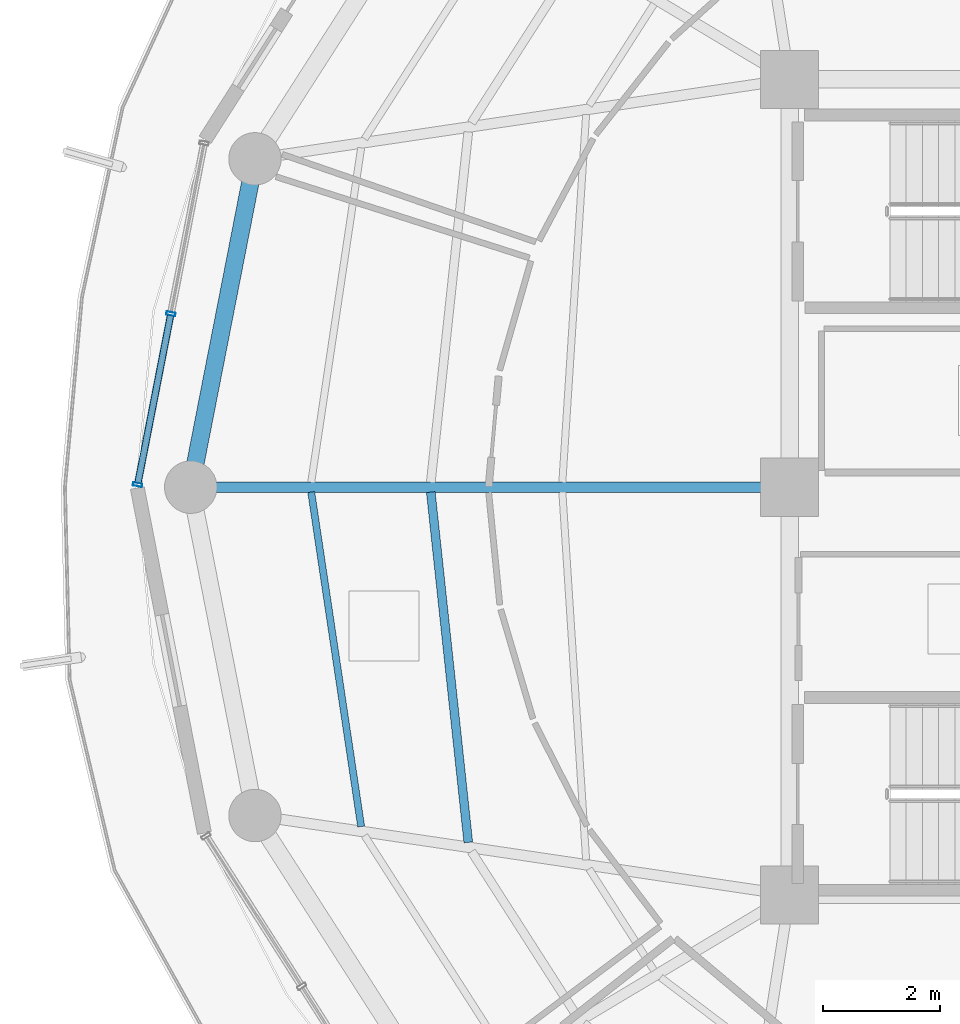
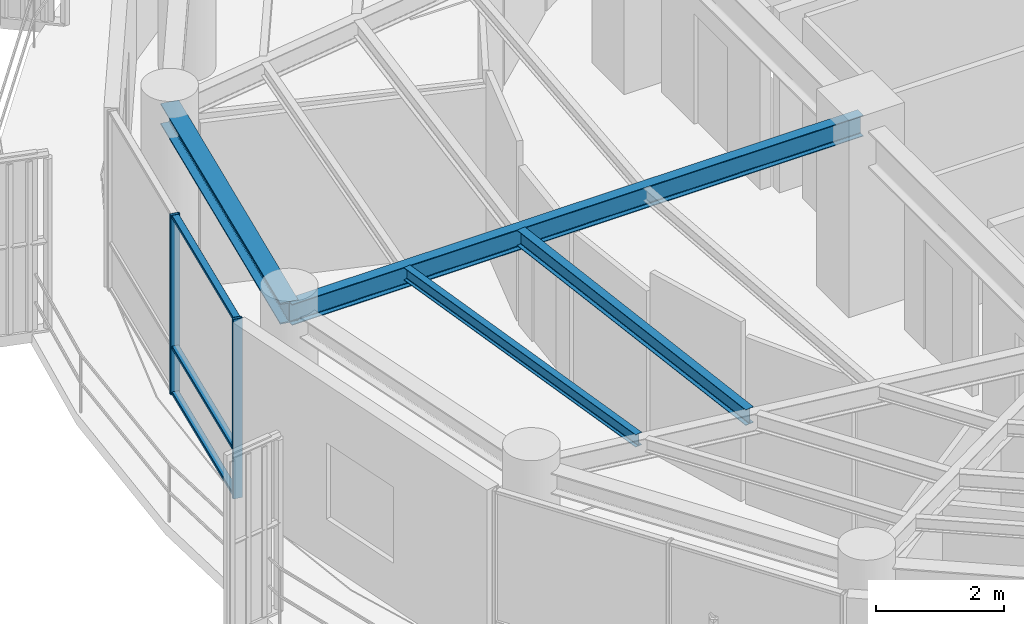
# One storey, part 7 of 23: 5 members, 4 beams, 1 element without a shape of its own.
"""IFC4 building model written with IfcOpenShell, lengths in metres."""

from ifc_helpers import new_model, si_unit, direction, frame, origin, origin_2d, place, context, subcontext, project, spatial, hollow_rectangle, i_section, extrude, material, layer, layer_set, material_profile, profile_set, type_object, element, aggregate, save


model = new_model("IFC4")

# Units and contexts
model_context = context("Model", 3, precision=1e-05, world=origin(), true_north=direction((0.0, 1.0)))
body_context = subcontext(model_context, "Body", "Model", "MODEL_VIEW")
ifc_project = project(units=[si_unit("LENGTHUNIT", "METRE"), si_unit("AREAUNIT", "SQUARE_METRE"), si_unit("VOLUMEUNIT", "CUBIC_METRE"), si_unit("PLANEANGLEUNIT", "RADIAN"), si_unit("MASSUNIT", "GRAM", prefix="KILO")], contexts=[model_context])

# Site, building, storey
site_placement = place(None, origin())
site = spatial("IfcSite", under=ifc_project, at=site_placement, CompositionType="ELEMENT")
building_placement = place(site_placement, origin())
building = spatial("IfcBuilding", under=site, at=building_placement, Name="Kelanora Arch Commons", CompositionType="ELEMENT")
storey_placement = place(building_placement, frame((0.0, 0.0, 289.949951171875)))
storey = spatial("IfcBuildingStorey", under=building, at=storey_placement, Name="L74", CompositionType="ELEMENT", Elevation=289.949951171875)

# Beams
ifc_material_1 = material(Name="Steel S355", Category="steel")
ifc_material_profile_1 = material_profile(ifc_material_1, i_section(OverallWidth=0.14990234375, OverallDepth=0.300048828125, WebThickness=0.007080078125, FlangeThickness=0.0107421875, FilletRadius=0.014892578125, at=origin_2d()), Name="IPE300")
ifc_profile_set_1 = profile_set([ifc_material_profile_1], Name="Steel S355")
beam_type_1 = type_object("IfcBeamType", Name="BM-JST-01", PredefinedType="JOIST", material=ifc_profile_set_1)
beam_1_placement = place(storey_placement, frame((59.841064453125, 57.91552734375, 3.280029296875), z_axis=(0.106380594087, -0.994325484538, 0.0), x_axis=(0.994325484538, 0.106380594087, 0.0)))
element("IfcBeam", 1, at=beam_1_placement, inside=storey, type_object=beam_type_1, Name="Secondary Chord Joist BJB-18 L74", PredefinedType="JOIST", context=body_context, shape_type="SweptSolid", body=[
    extrude(i_section(OverallWidth=0.14990234375, OverallDepth=0.300048828125, WebThickness=0.007080078125, FlangeThickness=0.0107421875, FilletRadius=0.014892578125, at=origin_2d()), origin(), (0.0, 0.0, 1.0), 6.04736328125),
])
ifc_material_profile_2 = material_profile(ifc_material_1, i_section(OverallWidth=0.1201171875, OverallDepth=0.239990234375, WebThickness=0.006103515625, FlangeThickness=0.009765625, FilletRadius=0.014892578125, at=origin_2d()), Name="IPE240")
ifc_profile_set_2 = profile_set([ifc_material_profile_2], Name="Steel S355")
beam_type_2 = type_object("IfcBeamType", Name="BM-JST-02", PredefinedType="JOIST", material=ifc_profile_set_2)
beam_2_placement = place(storey_placement, frame((57.78857421875, 57.916015625, 3.31005859375), z_axis=(0.14762470282, -0.989043450571, 0.0), x_axis=(0.989043450571, 0.14762470282, 0.0)))
element("IfcBeam", 2, at=beam_2_placement, inside=storey, type_object=beam_type_2, Name="Secondary Chord Joist BJC-18 L74", PredefinedType="JOIST", context=body_context, shape_type="SweptSolid", body=[
    extrude(i_section(OverallWidth=0.1201171875, OverallDepth=0.239990234375, WebThickness=0.006103515625, FlangeThickness=0.009765625, FilletRadius=0.014892578125, at=origin_2d()), origin(), (0.0, 0.0, 1.0), 5.804931640625),
])
ifc_material_profile_3 = material_profile(ifc_material_1, i_section(OverallWidth=0.179931640625, OverallDepth=0.39990234375, WebThickness=0.008544921875, FlangeThickness=0.013427734375, FilletRadius=0.02099609375, at=origin_2d()), Name="IPE400")
ifc_profile_set_3 = profile_set([ifc_material_profile_3], Name="Steel S355")
beam_type_3 = type_object("IfcBeamType", Name="BM-RAD-Z5", PredefinedType="BEAM", material=ifc_profile_set_3)
beam_3_placement = place(storey_placement, frame((66.0, 58.0, 3.22998046875), z_axis=(-1.0, 0.0, 0.0), x_axis=(0.0, -1.0, 0.0)))
element("IfcBeam", 3, at=beam_3_placement, inside=storey, type_object=beam_type_3, Name="Radial Floor Girder BR-18 L74", PredefinedType="BEAM", context=body_context, shape_type="SweptSolid", body=[
    extrude(i_section(OverallWidth=0.179931640625, OverallDepth=0.39990234375, WebThickness=0.008544921875, FlangeThickness=0.013427734375, FilletRadius=0.02099609375, at=origin_2d()), origin(), (0.0, 0.0, 1.0), 10.280029296875),
])
ifc_material_profile_4 = material_profile(ifc_material_1, i_section(OverallWidth=0.300048828125, OverallDepth=0.39990234375, WebThickness=0.013427734375, FlangeThickness=0.02392578125, FilletRadius=0.027099609375, at=origin_2d()), Name="HEB400")
ifc_profile_set_4 = profile_set([ifc_material_profile_4], Name="Steel S355")
beam_type_4 = type_object("IfcBeamType", Name="BM-SPN-Z4", PredefinedType="SPANDREL", material=ifc_profile_set_4)
beam_4_placement = place(storey_placement, frame((56.822509765625, 63.636474609375, 3.22998046875), z_axis=(-0.191969774604, -0.981400838413, 0.0), x_axis=(0.981400838413, -0.191969774604, 0.0)))
element("IfcBeam", 4, at=beam_4_placement, inside=storey, type_object=beam_type_4, Name="Perimeter Spandrel Beam BS-16 L74", PredefinedType="SPANDREL", context=body_context, shape_type="SweptSolid", body=[
    extrude(i_section(OverallWidth=0.300048828125, OverallDepth=0.39990234375, WebThickness=0.013427734375, FlangeThickness=0.02392578125, FilletRadius=0.027099609375, at=origin_2d()), origin(), (0.0, 0.0, 1.0), 5.743408203125),
])

# Curtain wall, members
ifc_material_2 = material(Name="Terracotta ceramic-fritted low-E glass and aluminium", Category="masonry")
ifc_layer = layer(ifc_material_2, 0.18994140625)
ifc_layer_set = layer_set([ifc_layer], Name="Terracotta ceramic-fritted low-E glass and aluminium")
curtain_wall_type = type_object("IfcCurtainWallType", Name="CW-SYS-03", PredefinedType="NOTDEFINED", material=ifc_layer_set)
curtain_wall_placement = place(storey_placement, origin())
curtain_wall = element("IfcCurtainWall", 5, at=curtain_wall_placement, inside=storey, type_object=curtain_wall_type, Name="Unitised Curtain Wall L74-B08", PredefinedType="NOTDEFINED")
ifc_material_3 = material(Name="Powder-coated aluminium terracotta", Category="masonry")
ifc_material_profile_5 = material_profile(ifc_material_3, hollow_rectangle(XDim=0.159912109375, YDim=0.06005859375, WallThickness=0.0048828125, InnerFilletRadius=0.0048828125, OuterFilletRadius=0.010009765625, at=origin_2d()), Name="CWM160x60")
ifc_profile_set_5 = profile_set([ifc_material_profile_5], Name="Powder-coated aluminium terracotta")
member_type_1 = type_object("IfcMemberType", Name="CWM-STD", PredefinedType="MULLION", material=ifc_profile_set_5)
member_1_placement = place(storey_placement, frame((55.37890625, 60.9755859375, 0.0), z_axis=(0.0, 0.0, 1.0), x_axis=(0.981595542501, -0.190971701941, 0.0)))
member_1 = element("IfcMember", 6, at=member_1_placement, type_object=member_type_1, Name="CW-03 mullion 2", PredefinedType="MULLION", context=body_context, shape_type="SweptSolid", body=[
    extrude(hollow_rectangle(XDim=0.159912109375, YDim=0.06005859375, WallThickness=0.0048828125, InnerFilletRadius=0.0048828125, OuterFilletRadius=0.010009765625, at=origin_2d()), origin(), (0.0, 0.0, 1.0), 3.4150390625),
])
member_2_placement = place(storey_placement, frame((54.80859375, 58.044189453125, 0.0), z_axis=(0.0, 0.0, 1.0), x_axis=(0.981595542501, -0.190971701941, 0.0)))
member_2 = element("IfcMember", 7, at=member_2_placement, type_object=member_type_1, Name="CW-03 mullion 3", PredefinedType="MULLION", context=body_context, shape_type="SweptSolid", body=[
    extrude(hollow_rectangle(XDim=0.159912109375, YDim=0.06005859375, WallThickness=0.0048828125, InnerFilletRadius=0.0048828125, OuterFilletRadius=0.010009765625, at=origin_2d()), origin(), (0.0, 0.0, 1.0), 3.4150390625),
])
ifc_material_profile_6 = material_profile(ifc_material_3, hollow_rectangle(XDim=0.1201171875, YDim=0.06005859375, WallThickness=0.0048828125, InnerFilletRadius=0.0048828125, OuterFilletRadius=0.010009765625, at=origin_2d()), Name="CWT120x60")
ifc_profile_set_6 = profile_set([ifc_material_profile_6], Name="Powder-coated aluminium terracotta")
member_type_2 = type_object("IfcMemberType", Name="CWT-STD", PredefinedType="USERDEFINED", material=ifc_profile_set_6)
member_3_placement = place(storey_placement, frame((55.373291015625, 60.946044921875, 0.030029296875), z_axis=(-0.190963443354, -0.981597149192, 0.0), x_axis=(0.981597149192, -0.190963443354, 0.0)))
member_3 = element("IfcMember", 8, at=member_3_placement, type_object=member_type_2, Name="CW-03 transom 2.1", ObjectType="TRANSOM", PredefinedType="USERDEFINED", context=body_context, shape_type="SweptSolid", body=[
    extrude(hollow_rectangle(XDim=0.1201171875, YDim=0.06005859375, WallThickness=0.0048828125, InnerFilletRadius=0.0048828125, OuterFilletRadius=0.010009765625, at=origin_2d()), origin(), (0.0, 0.0, 1.0), 2.926513671875),
])
member_4_placement = place(storey_placement, frame((55.373291015625, 60.946044921875, 0.900146484375), z_axis=(-0.190963443354, -0.981597149192, 0.0), x_axis=(0.981597149192, -0.190963443354, 0.0)))
member_4 = element("IfcMember", 9, at=member_4_placement, type_object=member_type_2, Name="CW-03 transom 2.2", ObjectType="TRANSOM", PredefinedType="USERDEFINED", context=body_context, shape_type="SweptSolid", body=[
    extrude(hollow_rectangle(XDim=0.1201171875, YDim=0.06005859375, WallThickness=0.0048828125, InnerFilletRadius=0.0048828125, OuterFilletRadius=0.010009765625, at=origin_2d()), origin(), (0.0, 0.0, 1.0), 2.926513671875),
])
member_5_placement = place(storey_placement, frame((55.373291015625, 60.946044921875, 3.385009765625), z_axis=(-0.190963443354, -0.981597149192, 0.0), x_axis=(0.981597149192, -0.190963443354, 0.0)))
member_5 = element("IfcMember", 10, at=member_5_placement, type_object=member_type_2, Name="CW-03 transom 2.3", ObjectType="TRANSOM", PredefinedType="USERDEFINED", context=body_context, shape_type="SweptSolid", body=[
    extrude(hollow_rectangle(XDim=0.1201171875, YDim=0.06005859375, WallThickness=0.0048828125, InnerFilletRadius=0.0048828125, OuterFilletRadius=0.010009765625, at=origin_2d()), origin(), (0.0, 0.0, 1.0), 2.926513671875),
])
aggregate(curtain_wall, [member_1, member_2, member_3, member_4, member_5])

save(model, "model.ifc")
